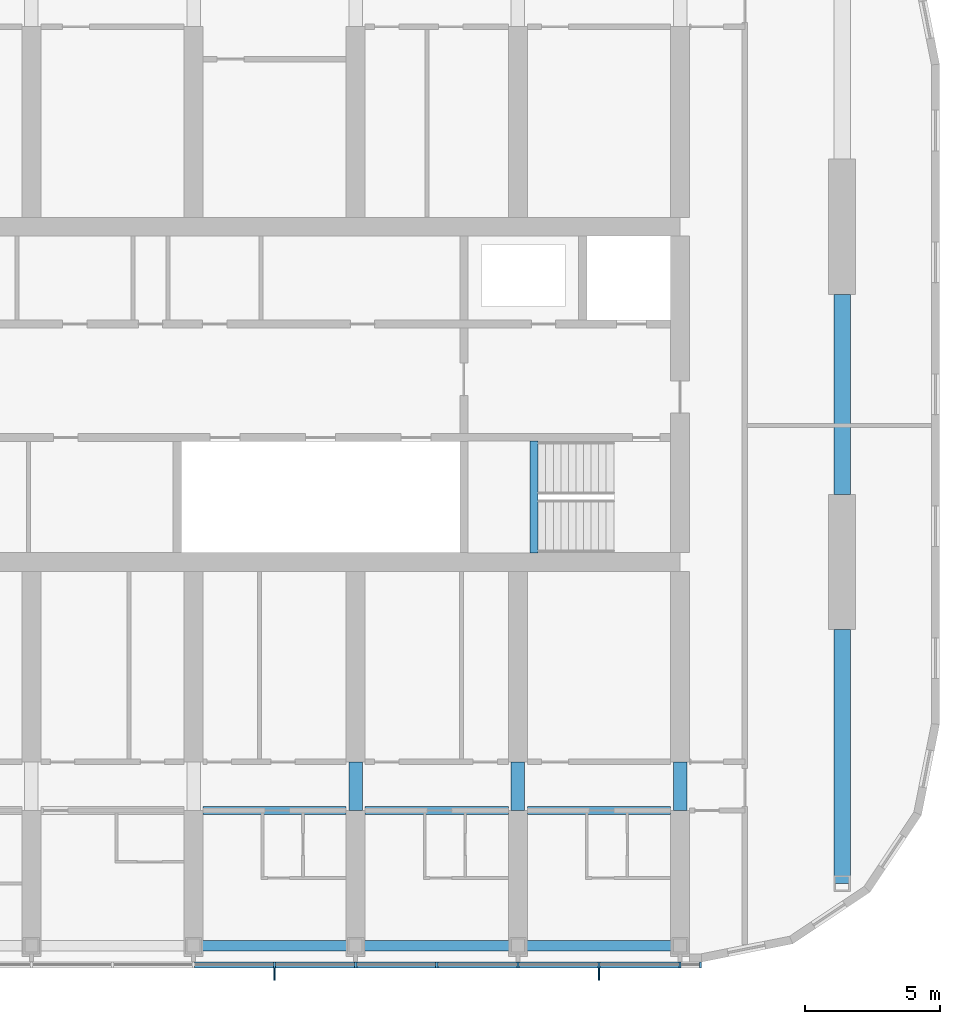
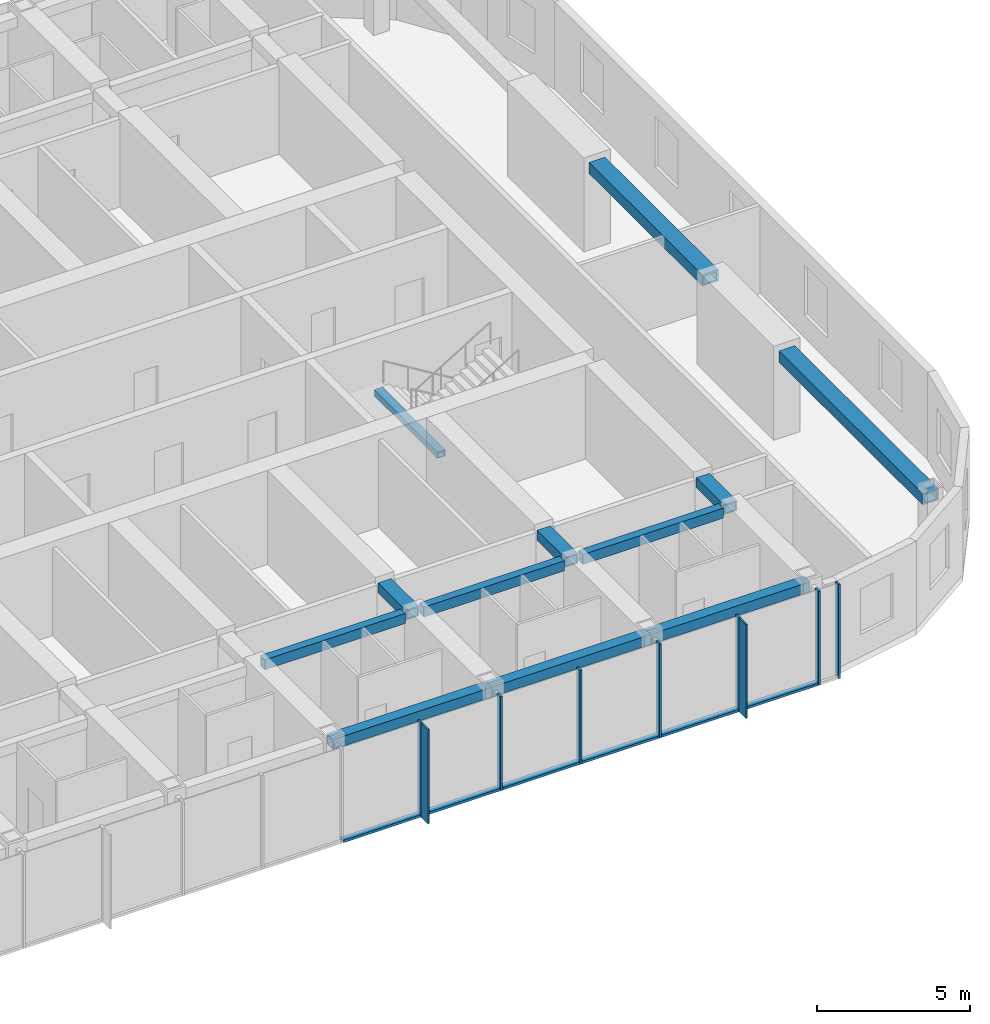
# One storey, part 3 of 23: 15 members, 12 beams, 1 element without a shape of its own.
"""IFC4 building model written with IfcOpenShell, lengths in metres."""

from ifc_helpers import new_model, si_unit, direction, frame, origin, origin_2d, place, context, subcontext, project, spatial, rectangle, hollow_rectangle, extrude, material, material_profile, profile_set, type_object, element, aggregate, save


model = new_model("IFC4")

# Units and contexts
model_context = context("Model", 3, precision=1e-05, world=origin(), true_north=direction((0.0, 1.0)))
body_context = subcontext(model_context, "Body", "Model", "MODEL_VIEW")
ifc_project = project(units=[si_unit("LENGTHUNIT", "METRE"), si_unit("AREAUNIT", "SQUARE_METRE"), si_unit("VOLUMEUNIT", "CUBIC_METRE"), si_unit("PLANEANGLEUNIT", "RADIAN"), si_unit("MASSUNIT", "GRAM", prefix="KILO")], contexts=[model_context])

# Site, building, storey
site_placement = place(None, origin())
site = spatial("IfcSite", under=ifc_project, at=site_placement, CompositionType="ELEMENT")
building_placement = place(site_placement, origin())
building = spatial("IfcBuilding", under=site, at=building_placement, Name="Orbita Commons", CompositionType="ELEMENT")
storey_placement = place(building_placement, frame((0.0, 0.0, 250.300048828125)))
storey = spatial("IfcBuildingStorey", under=building, at=storey_placement, Name="L62", CompositionType="ELEMENT", Elevation=250.300048828125)

# Curtain wall, members
ifc_material_1 = material(Name="Anodised aluminium frame, pale silver", Category="aluminium")
curtain_wall_type = type_object("IfcCurtainWallType", Name="Unitised curtain wall CW-U, full-height vision", PredefinedType="NOTDEFINED", material=ifc_material_1)
curtain_wall_placement = place(storey_placement, origin())
curtain_wall = element("IfcCurtainWall", 1, at=curtain_wall_placement, inside=storey, type_object=curtain_wall_type, Name="Curtain wall south L62", PredefinedType="NOTDEFINED")
ifc_material_2 = material(Name="Anodised aluminium, pale silver", Category="aluminium")
ifc_material_profile_1 = material_profile(ifc_material_2, rectangle(XDim=0.080078125, YDim=0.219970703125, at=origin_2d()), Name="AL 80x220")
ifc_profile_set_1 = profile_set([ifc_material_profile_1], Name="Anodised aluminium, pale silver")
member_type_1 = type_object("IfcMemberType", Name="Curtain wall mullion 80x220", PredefinedType="MULLION", material=ifc_profile_set_1)
member_1_placement = place(storey_placement, frame((51.0, 10.889892578125, -0.25), z_axis=(0.0, 0.0, 1.0), x_axis=(1.0, 0.0, 0.0)))
member_1 = element("IfcMember", 2, at=member_1_placement, type_object=member_type_1, Name="Mullion 13 CW-L62-S", PredefinedType="MULLION", context=body_context, shape_type="SweptSolid", body=[
    extrude(rectangle(XDim=0.080078125, YDim=0.219970703125, at=origin_2d()), origin(), (0.0, 0.0, 1.0), 3.75),
])
member_2_placement = place(storey_placement, frame((54.0, 10.889892578125, -0.25), z_axis=(0.0, 0.0, 1.0), x_axis=(1.0, 0.0, 0.0)))
member_2 = element("IfcMember", 3, at=member_2_placement, type_object=member_type_1, Name="Mullion 14 CW-L62-S", PredefinedType="MULLION", context=body_context, shape_type="SweptSolid", body=[
    extrude(rectangle(XDim=0.080078125, YDim=0.219970703125, at=origin_2d()), origin(), (0.0, 0.0, 1.0), 3.75),
])
member_3_placement = place(storey_placement, frame((57.0, 10.889892578125, -0.25), z_axis=(0.0, 0.0, 1.0), x_axis=(1.0, 0.0, 0.0)))
member_3 = element("IfcMember", 4, at=member_3_placement, type_object=member_type_1, Name="Mullion 15 CW-L62-S", PredefinedType="MULLION", context=body_context, shape_type="SweptSolid", body=[
    extrude(rectangle(XDim=0.080078125, YDim=0.219970703125, at=origin_2d()), origin(), (0.0, 0.0, 1.0), 3.75),
])
member_4_placement = place(storey_placement, frame((60.0, 10.889892578125, -0.25), z_axis=(0.0, 0.0, 1.0), x_axis=(1.0, 0.0, 0.0)))
member_4 = element("IfcMember", 5, at=member_4_placement, type_object=member_type_1, Name="Mullion 16 CW-L62-S", PredefinedType="MULLION", context=body_context, shape_type="SweptSolid", body=[
    extrude(rectangle(XDim=0.080078125, YDim=0.219970703125, at=origin_2d()), origin(), (0.0, 0.0, 1.0), 3.75),
])
member_5_placement = place(storey_placement, frame((63.0, 10.889892578125, -0.25), z_axis=(0.0, 0.0, 1.0), x_axis=(1.0, 0.0, 0.0)))
member_5 = element("IfcMember", 6, at=member_5_placement, type_object=member_type_1, Name="Mullion 17 CW-L62-S", PredefinedType="MULLION", context=body_context, shape_type="SweptSolid", body=[
    extrude(rectangle(XDim=0.080078125, YDim=0.219970703125, at=origin_2d()), origin(), (0.0, 0.0, 1.0), 3.75),
])
member_6_placement = place(storey_placement, frame((66.0, 10.889892578125, -0.25), z_axis=(0.0, 0.0, 1.0), x_axis=(1.0, 0.0, 0.0)))
member_6 = element("IfcMember", 7, at=member_6_placement, type_object=member_type_1, Name="Mullion 18 CW-L62-S", PredefinedType="MULLION", context=body_context, shape_type="SweptSolid", body=[
    extrude(rectangle(XDim=0.080078125, YDim=0.219970703125, at=origin_2d()), origin(), (0.0, 0.0, 1.0), 3.75),
])
member_7_placement = place(storey_placement, frame((66.760009765625, 10.889892578125, -0.25), z_axis=(0.0, 0.0, 1.0), x_axis=(1.0, 0.0, 0.0)))
member_7 = element("IfcMember", 8, at=member_7_placement, type_object=member_type_1, Name="Mullion 19 CW-L62-S", PredefinedType="MULLION", context=body_context, shape_type="SweptSolid", body=[
    extrude(rectangle(XDim=0.080078125, YDim=0.219970703125, at=origin_2d()), origin(), (0.0, 0.0, 1.0), 3.75),
])
ifc_material_3 = material(Name="Anodised aluminium, pale silver", Category="aluminium")
ifc_material_profile_2 = material_profile(ifc_material_3, rectangle(XDim=0.219970703125, YDim=0.10009765625, at=origin_2d()), Name="AL 220x100")
ifc_profile_set_2 = profile_set([ifc_material_profile_2], Name="Anodised aluminium, pale silver")
member_type_2 = type_object("IfcMemberType", Name="Curtain wall stack transom 220x100", PredefinedType="USERDEFINED", material=ifc_profile_set_2)
member_8_placement = place(storey_placement, frame((48.0400390625, 10.889892578125, -0.199951171875), z_axis=(1.0, 0.0, 0.0), x_axis=(0.0, 1.0, 0.0)))
member_8 = element("IfcMember", 9, at=member_8_placement, type_object=member_type_2, Name="Transom 12.1 CW-L62-S", ObjectType="TRANSOM", PredefinedType="USERDEFINED", context=body_context, shape_type="SweptSolid", body=[
    extrude(rectangle(XDim=0.219970703125, YDim=0.10009765625, at=origin_2d()), origin(), (0.0, 0.0, 1.0), 2.919921875),
])
member_9_placement = place(storey_placement, frame((51.0400390625, 10.889892578125, -0.199951171875), z_axis=(1.0, 0.0, 0.0), x_axis=(0.0, 1.0, 0.0)))
member_9 = element("IfcMember", 10, at=member_9_placement, type_object=member_type_2, Name="Transom 13.1 CW-L62-S", ObjectType="TRANSOM", PredefinedType="USERDEFINED", context=body_context, shape_type="SweptSolid", body=[
    extrude(rectangle(XDim=0.219970703125, YDim=0.10009765625, at=origin_2d()), origin(), (0.0, 0.0, 1.0), 2.919921875),
])
member_10_placement = place(storey_placement, frame((54.0400390625, 10.889892578125, -0.199951171875), z_axis=(1.0, 0.0, 0.0), x_axis=(0.0, 1.0, 0.0)))
member_10 = element("IfcMember", 11, at=member_10_placement, type_object=member_type_2, Name="Transom 14.1 CW-L62-S", ObjectType="TRANSOM", PredefinedType="USERDEFINED", context=body_context, shape_type="SweptSolid", body=[
    extrude(rectangle(XDim=0.219970703125, YDim=0.10009765625, at=origin_2d()), origin(), (0.0, 0.0, 1.0), 2.919921875),
])
member_11_placement = place(storey_placement, frame((57.0400390625, 10.889892578125, -0.199951171875), z_axis=(1.0, 0.0, 0.0), x_axis=(0.0, 1.0, 0.0)))
member_11 = element("IfcMember", 12, at=member_11_placement, type_object=member_type_2, Name="Transom 15.1 CW-L62-S", ObjectType="TRANSOM", PredefinedType="USERDEFINED", context=body_context, shape_type="SweptSolid", body=[
    extrude(rectangle(XDim=0.219970703125, YDim=0.10009765625, at=origin_2d()), origin(), (0.0, 0.0, 1.0), 2.919921875),
])
member_12_placement = place(storey_placement, frame((60.0400390625, 10.889892578125, -0.199951171875), z_axis=(1.0, 0.0, 0.0), x_axis=(0.0, 1.0, 0.0)))
member_12 = element("IfcMember", 13, at=member_12_placement, type_object=member_type_2, Name="Transom 16.1 CW-L62-S", ObjectType="TRANSOM", PredefinedType="USERDEFINED", context=body_context, shape_type="SweptSolid", body=[
    extrude(rectangle(XDim=0.219970703125, YDim=0.10009765625, at=origin_2d()), origin(), (0.0, 0.0, 1.0), 2.919921875),
])
member_13_placement = place(storey_placement, frame((63.0400390625, 10.889892578125, -0.199951171875), z_axis=(1.0, 0.0, 0.0), x_axis=(0.0, 1.0, 0.0)))
member_13 = element("IfcMember", 14, at=member_13_placement, type_object=member_type_2, Name="Transom 17.1 CW-L62-S", ObjectType="TRANSOM", PredefinedType="USERDEFINED", context=body_context, shape_type="SweptSolid", body=[
    extrude(rectangle(XDim=0.219970703125, YDim=0.10009765625, at=origin_2d()), origin(), (0.0, 0.0, 1.0), 2.919921875),
])

# Beams
ifc_material_4 = material(Name="Steel ASTM A572 Gr 50 welded plate", Category="steel")
ifc_material_profile_3 = material_profile(ifc_material_4, hollow_rectangle(XDim=0.300048828125, YDim=0.25, WallThickness=0.02490234375, at=origin_2d()), Name="BOX 250x300x25")
ifc_profile_set_3 = profile_set([ifc_material_profile_3], Name="Steel ASTM A572 Gr 50 welded plate")
beam_type_1 = type_object("IfcBeamType", Name="Stair landing beam steel BOX 250x300x25", PredefinedType="BEAM", material=ifc_profile_set_3)
beam_1_placement = place(storey_placement, frame((60.60009765625, 26.135009765625, 1.550048828125), z_axis=(0.0, 1.0, 0.0), x_axis=(-1.0, 0.0, 0.0)))
element("IfcBeam", 15, at=beam_1_placement, inside=storey, type_object=beam_type_1, Name="Stair S2 landing beam L62 1", PredefinedType="BEAM", context=body_context, shape_type="SweptSolid", body=[
    extrude(hollow_rectangle(XDim=0.300048828125, YDim=0.25, WallThickness=0.02490234375, at=origin_2d()), origin(), (0.0, 0.0, 1.0), 4.1298828125),
])
ifc_material_5 = material(Name="Steel ASTM A572 Gr 50 welded plate", Category="steel")
ifc_material_profile_4 = material_profile(ifc_material_5, hollow_rectangle(XDim=0.300048828125, YDim=0.39990234375, WallThickness=0.0400390625, at=origin_2d()), Name="BOX 400x300x40")
ifc_profile_set_4 = profile_set([ifc_material_profile_4], Name="Steel ASTM A572 Gr 50 welded plate")
beam_type_2 = type_object("IfcBeamType", Name="Steel corridor link BOX 400x300x40", PredefinedType="BEAM", material=ifc_profile_set_4)
for number, where, z_axis, x_axis, name in (
    (16, (48.35009765625, 16.60009765625, 3.300048828125), (1.0, 0.0, 0.0), (0.0, 1.0, 0.0), "Corridor beam SA 9-10 L62"),
    (17, (54.35009765625, 16.60009765625, 3.300048828125), (1.0, 0.0, 0.0), (0.0, 1.0, 0.0), "Corridor beam SA 10-11 L62"),
    (18, (60.35009765625, 16.60009765625, 3.300048828125), (1.0, 0.0, 0.0), (0.0, 1.0, 0.0), "Corridor beam SA 11-12 L62"),
):
    element("IfcBeam", number, at=place(storey_placement, frame(where, z_axis=z_axis, x_axis=x_axis)), inside=storey, type_object=beam_type_2, Name=name, PredefinedType="BEAM", context=body_context, shape_type="SweptSolid", body=[
        extrude(hollow_rectangle(XDim=0.300048828125, YDim=0.39990234375, WallThickness=0.0400390625, at=origin_2d()), origin(), (0.0, 0.0, 1.0), 5.2998046875),
    ])
ifc_material_6 = material(Name="Steel ASTM A572 Gr 50 welded plate", Category="steel")
ifc_material_profile_5 = material_profile(ifc_material_6, hollow_rectangle(XDim=0.5, YDim=0.39990234375, WallThickness=0.050048828125, at=origin_2d()), Name="BOX 400x500x50")
ifc_profile_set_5 = profile_set([ifc_material_profile_5], Name="Steel ASTM A572 Gr 50 welded plate")
beam_type_3 = type_object("IfcBeamType", Name="Steel coupling link BOX 400x500x50", PredefinedType="LINTEL", material=ifc_profile_set_5)
for number, where, z_axis, x_axis, name in (
    (19, (54.0, 16.60009765625, 3.300048828125), (0.0, 1.0, 0.0), (-1.0, 0.0, 0.0), "Coupling beam 10 south L62"),
    (20, (60.0, 16.60009765625, 3.300048828125), (0.0, 1.0, 0.0), (-1.0, 0.0, 0.0), "Coupling beam 11 south L62"),
    (21, (66.0, 16.60009765625, 3.300048828125), (0.0, 1.0, 0.0), (-1.0, 0.0, 0.0), "Coupling beam 12 south L62"),
):
    element("IfcBeam", number, at=place(storey_placement, frame(where, z_axis=z_axis, x_axis=x_axis)), inside=storey, type_object=beam_type_3, Name=name, PredefinedType="LINTEL", context=body_context, shape_type="SweptSolid", body=[
        extrude(hollow_rectangle(XDim=0.5, YDim=0.39990234375, WallThickness=0.050048828125, at=origin_2d()), origin(), (0.0, 0.0, 1.0), 1.7998046875),
    ])
ifc_material_7 = material(Name="Steel ASTM A572 Gr 50 welded plate", Category="steel")
ifc_material_profile_6 = material_profile(ifc_material_7, hollow_rectangle(XDim=0.60009765625, YDim=0.449951171875, WallThickness=0.06005859375, at=origin_2d()), Name="BOX 450x600x60")
ifc_profile_set_6 = profile_set([ifc_material_profile_6], Name="Steel ASTM A572 Gr 50 welded plate")
beam_type_4 = type_object("IfcBeamType", Name="Steel end frame link BOX 450x600x60", PredefinedType="BEAM", material=ifc_profile_set_6)
beam_2_placement = place(storey_placement, frame((72.0, 13.89990234375, 3.27490234375), z_axis=(0.0, 1.0, 0.0), x_axis=(-1.0, 0.0, 0.0)))
element("IfcBeam", 22, at=beam_2_placement, inside=storey, type_object=beam_type_4, Name="End frame beam 13 B-C L62", PredefinedType="BEAM", context=body_context, shape_type="SweptSolid", body=[
    extrude(hollow_rectangle(XDim=0.60009765625, YDim=0.449951171875, WallThickness=0.06005859375, at=origin_2d()), origin(), (0.0, 0.0, 1.0), 9.400146484375),
])
beam_3_placement = place(storey_placement, frame((72.0, 28.300048828125, 3.27490234375), z_axis=(0.0, 1.0, 0.0), x_axis=(-1.0, 0.0, 0.0)))
element("IfcBeam", 23, at=beam_3_placement, inside=storey, type_object=beam_type_4, Name="End frame beam 13 C-D L62", PredefinedType="BEAM", context=body_context, shape_type="SweptSolid", body=[
    extrude(hollow_rectangle(XDim=0.60009765625, YDim=0.449951171875, WallThickness=0.06005859375, at=origin_2d()), origin(), (0.0, 0.0, 1.0), 7.39990234375),
])
ifc_material_8 = material(Name="Steel ASTM A572 Gr 50 welded plate", Category="steel")
ifc_material_profile_7 = material_profile(ifc_material_8, hollow_rectangle(XDim=0.39990234375, YDim=0.39990234375, WallThickness=0.0400390625, at=origin_2d()), Name="BOX 400x400x40")
ifc_profile_set_7 = profile_set([ifc_material_profile_7], Name="Steel ASTM A572 Gr 50 welded plate")
beam_type_5 = type_object("IfcBeamType", Name="Steel spandrel BOX 400x400x40", PredefinedType="SPANDREL", material=ifc_profile_set_7)
for number, where, z_axis, x_axis, name in (
    (24, (48.0, 11.60009765625, 3.300048828125), (1.0, 0.0, 0.0), (0.0, 1.0, 0.0), "Spandrel beam B 9-10 L62"),
    (25, (54.0, 11.60009765625, 3.300048828125), (1.0, 0.0, 0.0), (0.0, 1.0, 0.0), "Spandrel beam B 10-11 L62"),
    (26, (60.0, 11.60009765625, 3.300048828125), (1.0, 0.0, 0.0), (0.0, 1.0, 0.0), "Spandrel beam B 11-12 L62"),
):
    element("IfcBeam", number, at=place(storey_placement, frame(where, z_axis=z_axis, x_axis=x_axis)), inside=storey, type_object=beam_type_5, Name=name, PredefinedType="SPANDREL", context=body_context, shape_type="SweptSolid", body=[
        extrude(hollow_rectangle(XDim=0.39990234375, YDim=0.39990234375, WallThickness=0.0400390625, at=origin_2d()), origin(), (0.0, 0.0, 1.0), 6.0),
    ])

# Member
ifc_material_9 = material(Name="Anodised aluminium, pale silver", Category="aluminium")
ifc_material_profile_8 = material_profile(ifc_material_9, rectangle(XDim=0.06005859375, YDim=0.449951171875, at=origin_2d()), Name="FIN 60x450")
ifc_profile_set_8 = profile_set([ifc_material_profile_8], Name="Anodised aluminium, pale silver")
member_type_3 = type_object("IfcMemberType", Name="Vertical fin 60x450 pale aluminium", PredefinedType="USERDEFINED", material=ifc_profile_set_8)
member_14_placement = place(storey_placement, frame((51.0, 10.554931640625, -0.25), z_axis=(0.0, 0.0, 1.0), x_axis=(1.0, 0.0, 0.0)))
member_14 = element("IfcMember", 27, at=member_14_placement, type_object=member_type_3, Name="Fin 13 CW-L62-S", ObjectType="FIN", PredefinedType="USERDEFINED", context=body_context, shape_type="SweptSolid", body=[
    extrude(rectangle(XDim=0.06005859375, YDim=0.449951171875, at=origin_2d()), origin(), (0.0, 0.0, 1.0), 3.75),
])

member_15_placement = place(storey_placement, frame((63.0, 10.554931640625, -0.25), z_axis=(0.0, 0.0, 1.0), x_axis=(1.0, 0.0, 0.0)))
member_15 = element("IfcMember", 28, at=member_15_placement, type_object=member_type_3, Name="Fin 17 CW-L62-S", ObjectType="FIN", PredefinedType="USERDEFINED", context=body_context, shape_type="SweptSolid", body=[
    extrude(rectangle(XDim=0.06005859375, YDim=0.449951171875, at=origin_2d()), origin(), (0.0, 0.0, 1.0), 3.75),
])

aggregate(curtain_wall, [member_1, member_14, member_2, member_3, member_4, member_5, member_15, member_6, member_7, member_8, member_9, member_10, member_11, member_12, member_13])

save(model, "model.ifc")
